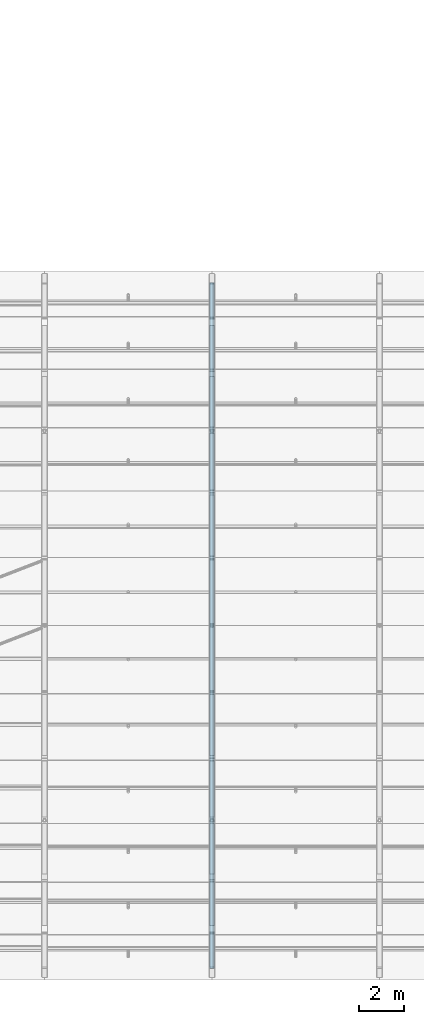
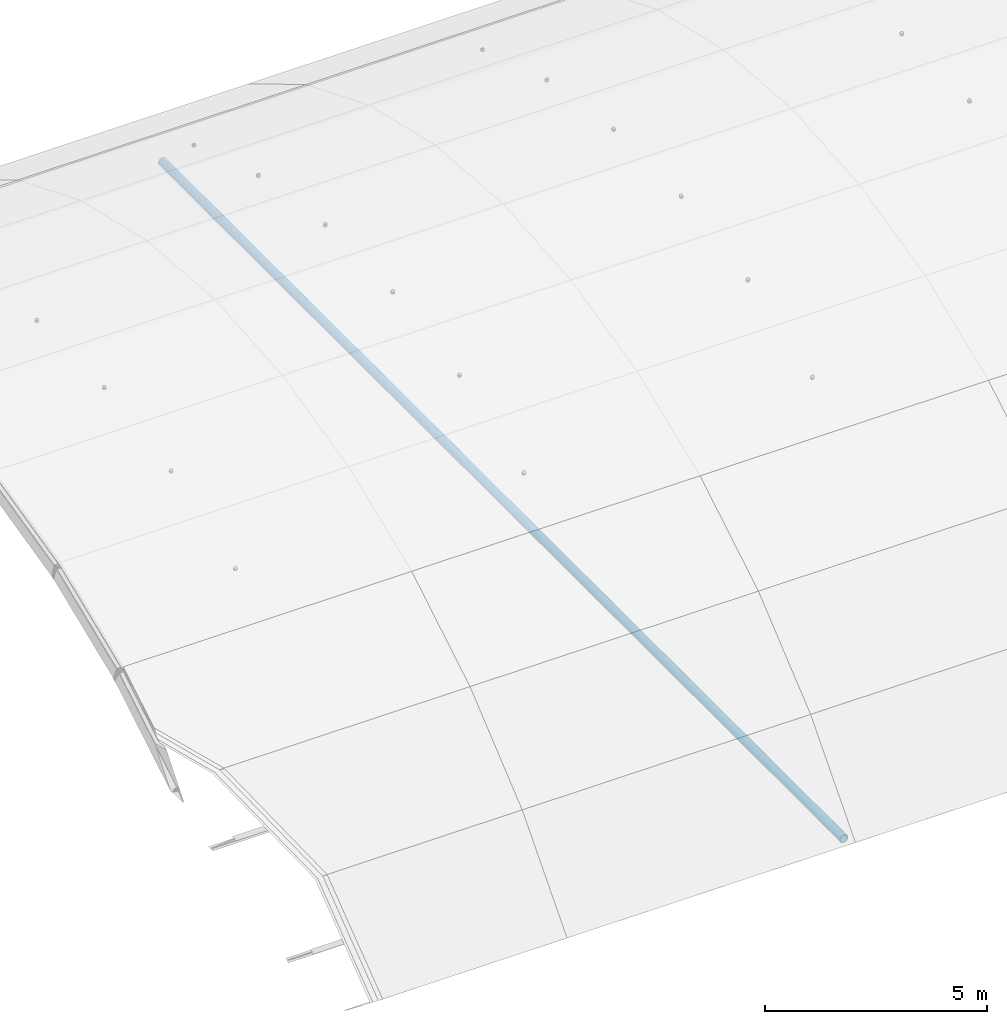
# One storey, part 8 of 77: 1 member.
"""IFC4 building model written with IfcOpenShell, lengths in metres."""

import ifcopenshell
import ifcopenshell.guid

model = None  # the IFC model being written
_history = None  # IfcOwnerHistory: only IFC2X3 demands one
_inside = {}  # id of a spatial element -> (the spatial element, [elements in it])
_under = {}  # id of a project, library or spatial element -> (it, [spatial elements below it])
_declared = {}  # id of a project -> (the project, [libraries it declares])
_typed = {}  # id of a type object -> (the type object, [elements of that type])
_made_of = {}  # id of a material, layer set ... -> (it, [elements and type objects made of it])


def new_model(schema):
    """Start an empty IFC model of exactly this schema.

    Asked for "IFC4X3", IfcOpenShell would pick the latest addendum, in which some entities
    have other attributes; the version numbers below select the first issue.
    IFC2X3 requires an IfcOwnerHistory on every rooted entity: one is made here for all.
    """
    global model, _history
    if schema == "IFC4X3":
        model = ifcopenshell.file(schema_version=(4, 3, 0, 0))
    else:
        model = ifcopenshell.file(schema=schema)
    _inside.clear()
    _under.clear()
    _declared.clear()
    _typed.clear()
    _made_of.clear()
    _history = None
    if model.schema == "IFC2X3":
        org = make("IfcOrganization", Name="unknown")
        user = make(
            "IfcPersonAndOrganization",
            ThePerson=make("IfcPerson", FamilyName="unknown"),
            TheOrganization=org,
        )
        app = make(
            "IfcApplication",
            ApplicationDeveloper=org,
            Version="unknown",
            ApplicationFullName="unknown",
            ApplicationIdentifier="unknown",
        )
        _history = make(
            "IfcOwnerHistory",
            OwningUser=user,
            OwningApplication=app,
            ChangeAction="ADDED",
            CreationDate=0,
        )
    return model


def make(cls, **values):
    """One entity of the class cls with the attributes given. An attribute that is None is left unset."""
    return model.create_entity(
        cls, **{name: value for name, value in values.items() if value is not None}
    )


def rooted(cls, **values):
    """An entity with a GlobalId (a new one), such as an element, a storey or a relation."""
    return make(cls, GlobalId=ifcopenshell.guid.new(), OwnerHistory=_history, **values)


def si_unit(unit_type, name, prefix=None):
    """IfcSIUnit, for example si_unit("LENGTHUNIT", "METRE", prefix="MILLI")."""
    return make("IfcSIUnit", UnitType=unit_type, Prefix=prefix, Name=name)


def assignment(units):
    """IfcUnitAssignment: the units of a project."""
    return None if units is None else make("IfcUnitAssignment", Units=units)


def point(xyz):
    """IfcCartesianPoint."""
    return None if xyz is None else make("IfcCartesianPoint", Coordinates=xyz)


def direction(xyz):
    """IfcDirection."""
    return None if xyz is None else make("IfcDirection", DirectionRatios=xyz)


def frame(location, z_axis=None, x_axis=None):
    """IfcAxis2Placement3D, a coordinate frame: its origin and axes. An axis left out is left unset."""
    return make(
        "IfcAxis2Placement3D",
        Location=point(location),
        Axis=direction(z_axis),
        RefDirection=direction(x_axis),
    )


def frame_2d(location, x_axis=None):
    """IfcAxis2Placement2D, a coordinate frame in the plane: its origin and x axis."""
    return make(
        "IfcAxis2Placement2D", Location=point(location), RefDirection=direction(x_axis)
    )


def origin():
    """The frame at (0, 0, 0) with its axes left unset."""
    return frame((0.0, 0.0, 0.0))


def origin_2d():
    """The frame at (0, 0) in the plane with its x axis left unset."""
    return frame_2d((0.0, 0.0))


def place(relative_to, where):
    """IfcLocalPlacement: puts the frame where relative to a parent placement (None: the world)."""
    return make(
        "IfcLocalPlacement", PlacementRelTo=relative_to, RelativePlacement=where
    )


def context(
    kind, dimensions, precision=None, world=None, true_north=None, identifier=None
):
    """IfcGeometricRepresentationContext, for example the 3D "Model" context."""
    return make(
        "IfcGeometricRepresentationContext",
        ContextIdentifier=identifier,
        ContextType=kind,
        CoordinateSpaceDimension=dimensions,
        Precision=precision,
        WorldCoordinateSystem=world,
        TrueNorth=true_north,
    )


def subcontext(parent, identifier, kind, view, scale=None):
    """IfcGeometricRepresentationSubContext, for example "Body" below "Model"."""
    return make(
        "IfcGeometricRepresentationSubContext",
        ContextIdentifier=identifier,
        ContextType=kind,
        ParentContext=parent,
        TargetScale=scale,
        TargetView=view,
    )


def project(units=None, contexts=None):
    """IfcProject with its units and contexts."""
    return rooted(
        "IfcProject",
        Name="project",
        RepresentationContexts=contexts,
        UnitsInContext=assignment(units),
    )


def spatial(cls, under=None, at=None, **own):
    """A site, building, storey or space (cls), placed at a placement, below another one or the project."""
    s = rooted(cls, ObjectPlacement=at, **own)
    if under is not None:
        _under.setdefault(under.id(), (under, []))[1].append(s)
    return s


def profile(cls, at=None, kind="AREA", **sizes):
    """A parametric profile (cls). Its sizes go by their IFC names, for example OverallWidth=200.0."""
    return make(cls, ProfileType=kind, Position=at, **sizes)


def hollow_circle(**sizes):
    """IfcCircleHollowProfileDef."""
    return profile("IfcCircleHollowProfileDef", **sizes)


def extrude(swept, where, along, depth):
    """IfcExtrudedAreaSolid: the profile swept, set in the frame where, extruded along a direction by depth."""
    return make(
        "IfcExtrudedAreaSolid",
        SweptArea=swept,
        Position=where,
        ExtrudedDirection=direction(along),
        Depth=depth,
    )


def shape(context_of_items, identifier, shape_type, items):
    """IfcShapeRepresentation: the items that make up one representation, for example the "Body"."""
    return make(
        "IfcShapeRepresentation",
        ContextOfItems=context_of_items,
        RepresentationIdentifier=identifier,
        RepresentationType=shape_type,
        Items=items,
    )


def material(Name=None, Category=None):
    """IfcMaterial."""
    return make("IfcMaterial", Name=Name, Category=Category)


def material_profile(
    of_material, cross_section, Name=None, Category=None, Priority=None
):
    """IfcMaterialProfile: a cross section and its material."""
    return make(
        "IfcMaterialProfile",
        Name=Name,
        Material=of_material,
        Profile=cross_section,
        Priority=Priority,
        Category=Category,
    )


def profile_set(profiles, Name=None, composite=None):
    """IfcMaterialProfileSet."""
    return make(
        "IfcMaterialProfileSet",
        Name=Name,
        MaterialProfiles=profiles,
        CompositeProfile=composite,
    )


def made_of(thing, what):
    """Note that an element or type object is made of a material, layer set ...; save() writes the relation."""
    if what is not None:
        _made_of.setdefault(what.id(), (what, []))[1].append(thing)
    return thing


def type_object(cls, material=None, **own):
    """A type object (cls), such as IfcWallType, which elements share."""
    return made_of(rooted(cls, **own), material)


def element(
    cls,
    number,
    at=None,
    inside=None,
    cuts=None,
    type_object=None,
    material=None,
    context=None,
    identifier="Body",
    shape_type=None,
    held_by="IfcProductDefinitionShape",
    body=None,
    shapes=None,
    **own,
):
    """One element of the class cls, such as IfcWall. Its Tag is "e" and its number.

    at: its placement. inside: the storey or other place that contains it. cuts: it is an
    opening in that element (IfcRelVoidsElement). A single representation is given by context,
    identifier, shape_type and body (its items); several are given by shapes. held_by: the class
    of the entity that holds the representations. save() writes the other relations.
    """
    e = rooted(cls, Tag="e%d" % number, ObjectPlacement=at, **own)
    if body is not None:
        shapes = [shape(context, identifier, shape_type, body)]
    if shapes is not None:
        e.Representation = make(held_by, Representations=shapes)
    if inside is not None:
        _inside.setdefault(inside.id(), (inside, []))[1].append(e)
    if cuts is not None:
        rooted(
            "IfcRelVoidsElement", RelatingBuildingElement=cuts, RelatedOpeningElement=e
        )
    if type_object is not None:
        _typed.setdefault(type_object.id(), (type_object, []))[1].append(e)
    return made_of(e, material)


def aggregate(whole, parts):
    """IfcRelAggregates: a whole, such as a stair, and the parts it consists of."""
    return rooted("IfcRelAggregates", RelatingObject=whole, RelatedObjects=parts)


def save(model, path):
    """Write the relations noted so far, then the file.

    IfcRelAggregates (storeys below a building ...), IfcRelContainedInSpatialStructure (elements
    in a storey), IfcRelDefinesByType, IfcRelAssociatesMaterial and IfcRelDeclares: one each for
    every whole, place, type object, material and project.
    """
    for whole, parts in _under.values():
        aggregate(whole, parts)
    for where, things in _inside.values():
        rooted(
            "IfcRelContainedInSpatialStructure",
            RelatedElements=things,
            RelatingStructure=where,
        )
    for kind, things in _typed.values():
        rooted("IfcRelDefinesByType", RelatedObjects=things, RelatingType=kind)
    for what, things in _made_of.values():
        rooted("IfcRelAssociatesMaterial", RelatedObjects=things, RelatingMaterial=what)
    for by, libraries in _declared.values():
        rooted("IfcRelDeclares", RelatingContext=by, RelatedDefinitions=libraries)
    model.write(path)


model = new_model("IFC4")

# Units and contexts
model_context = context("Model", 3, precision=1e-05, world=origin(), true_north=direction((0.0, 1.0)))
body_context = subcontext(model_context, "Body", "Model", "MODEL_VIEW")
ifc_project = project(units=[si_unit("LENGTHUNIT", "METRE"), si_unit("AREAUNIT", "SQUARE_METRE"), si_unit("VOLUMEUNIT", "CUBIC_METRE"), si_unit("PLANEANGLEUNIT", "RADIAN"), si_unit("MASSUNIT", "GRAM", prefix="KILO")], contexts=[model_context])

# Site, building, storey
site_placement = place(None, origin())
site = spatial("IfcSite", under=ifc_project, at=site_placement, CompositionType="ELEMENT")
building_placement = place(site_placement, origin())
building = spatial("IfcBuilding", under=site, at=building_placement, Name="Yukiwa Park Conservatory and Herbarium", CompositionType="ELEMENT")
storey_placement = place(building_placement, frame((0.0, 0.0, 13.199951171875)))
storey = spatial("IfcBuildingStorey", under=building, at=storey_placement, Name="L03", CompositionType="ELEMENT", Elevation=13.199951171875)

# Member
ifc_material = material(Name="Steel Q355D", Category="steel")
ifc_material_profile = material_profile(ifc_material, hollow_circle(Radius=0.109619140625, WallThickness=0.011962890625, at=origin_2d()), Name="CHS 219.1x12")
ifc_profile_set = profile_set([ifc_material_profile], Name="Steel Q355D")
member_type = type_object("IfcMemberType", Name="MB-VLT-TIE219", PredefinedType="COLLAR", material=ifc_profile_set)
member_placement = place(storey_placement, frame((15.0, 0.2451171875, -4.199951171875), z_axis=(0.0, 1.0, 0.0), x_axis=(-1.0, 0.0, 0.0)))
element("IfcMember", 1, at=member_placement, inside=storey, type_object=member_type, Name="Conservatory vault springing tension tie 3", PredefinedType="COLLAR", context=body_context, shape_type="SweptSolid", body=[
    extrude(hollow_circle(Radius=0.109619140625, WallThickness=0.011962890625, at=origin_2d()), origin(), (0.0, 0.0, 1.0), 30.7099609375),
])

save(model, "model.ifc")
